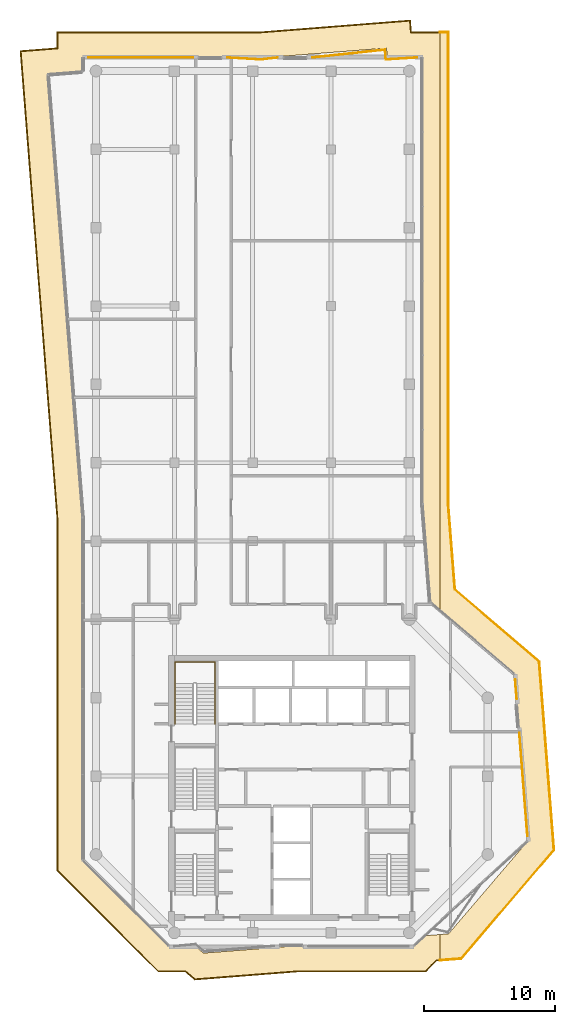
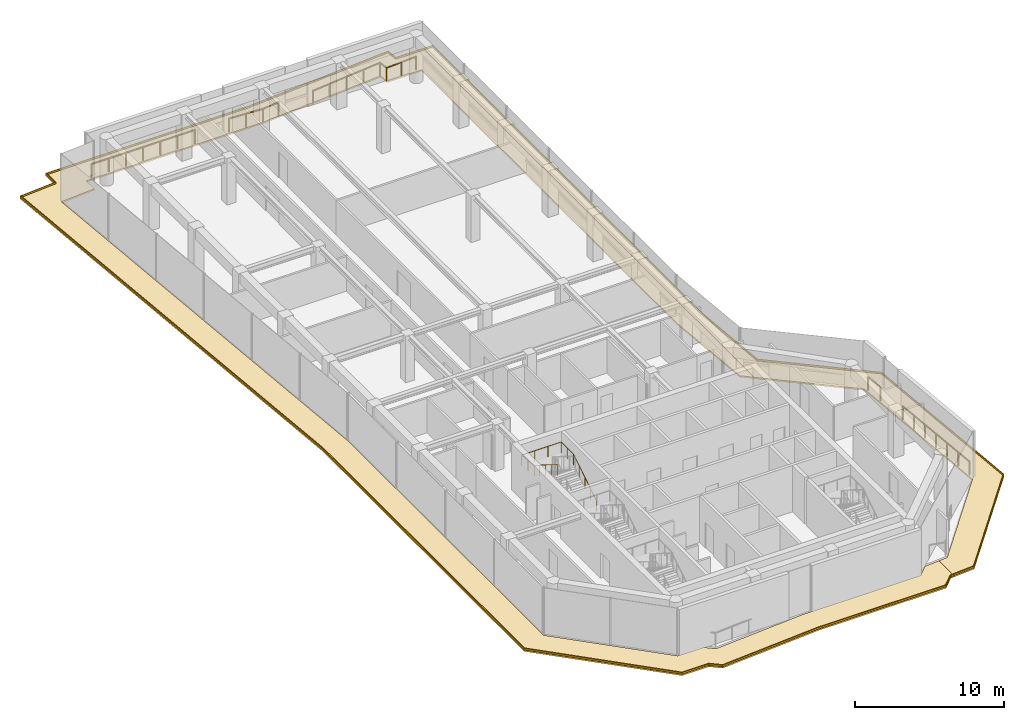
# One storey, part 23 of 23: 6 railings, 4 coverings.
"""IFC4 building model written with IfcOpenShell, lengths in metres."""

from ifc_helpers import new_model, si_unit, direction, frame, origin, origin_2d, place, context, subcontext, project, spatial, polyline, circle, outline, extrude, material, layer, layer_set, type_object, element, save


model = new_model("IFC4")

# Units and contexts
model_context = context("Model", 3, precision=1e-05, world=origin(), true_north=direction((0.0, 1.0)))
body_context = subcontext(model_context, "Body", "Model", "MODEL_VIEW")
ifc_project = project(units=[si_unit("LENGTHUNIT", "METRE"), si_unit("AREAUNIT", "SQUARE_METRE"), si_unit("VOLUMEUNIT", "CUBIC_METRE"), si_unit("PLANEANGLEUNIT", "RADIAN"), si_unit("MASSUNIT", "GRAM", prefix="KILO")], contexts=[model_context])

# Site, building, storey
site_placement = place(None, origin())
site = spatial("IfcSite", under=ifc_project, at=site_placement, CompositionType="ELEMENT")
building_placement = place(site_placement, origin())
building = spatial("IfcBuilding", under=site, at=building_placement, Name="Welwitschia Terrace Campus", CompositionType="ELEMENT")
storey_placement = place(building_placement, frame((0.0, 0.0, 209.60009765625)))
storey = spatial("IfcBuildingStorey", under=building, at=storey_placement, Name="L46", CompositionType="ELEMENT", Elevation=209.60009765625)

# Railings
ifc_material_1 = material(Name="Stainless steel grade 316", Category="steel")
railing_type_1 = type_object("IfcRailingType", Name="Guard 1100", PredefinedType="GUARDRAIL", material=ifc_material_1)
railing_1_placement = place(storey_placement, frame((-0.580078125, 71.030029296875, 0.0)))
element("IfcRailing", 1, at=railing_1_placement, inside=storey, type_object=railing_type_1, Name="Guard floor edge L46.0", PredefinedType="GUARDRAIL", context=body_context, shape_type="SweptSolid", body=[
    extrude(circle(Radius=0.02392578125, at=origin_2d()), frame((0.0, 0.0, 1.076171875), z_axis=(1.0, 0.0, 0.0), x_axis=(0.0, 1.0, 0.0)), (0.0, 0.0, 1.0), 7.998779296875),
    extrude(circle(Radius=0.02099609375, at=origin_2d()), origin(), (0.0, 0.0, 1.0), 1.052001953125),
    extrude(circle(Radius=0.02099609375, at=origin_2d()), frame((1.3330078125, 0.0, 0.0)), (0.0, 0.0, 1.0), 1.052001953125),
    extrude(circle(Radius=0.02099609375, at=origin_2d()), frame((2.666259765625, 0.0, 0.0)), (0.0, 0.0, 1.0), 1.052001953125),
    extrude(circle(Radius=0.02099609375, at=origin_2d()), frame((3.99951171875, 0.0, 0.0)), (0.0, 0.0, 1.0), 1.052001953125),
    extrude(circle(Radius=0.02099609375, at=origin_2d()), frame((5.33251953125, 0.0, 0.0)), (0.0, 0.0, 1.0), 1.052001953125),
    extrude(circle(Radius=0.02099609375, at=origin_2d()), frame((6.66552734375, 0.0, 0.0)), (0.0, 0.0, 1.0), 1.052001953125),
    extrude(circle(Radius=0.02099609375, at=origin_2d()), frame((7.998779296875, 0.0, 0.0)), (0.0, 0.0, 1.0), 1.052001953125),
])
railing_2_placement = place(storey_placement, frame((10.066162109375, 71.030029296875, 0.0)))
element("IfcRailing", 2, at=railing_2_placement, inside=storey, type_object=railing_type_1, Name="Guard floor edge L46.2", PredefinedType="GUARDRAIL", context=body_context, shape_type="SweptSolid", body=[
    extrude(circle(Radius=0.02392578125, at=origin_2d()), frame((0.0, 0.0, 1.076171875), z_axis=(0.998273384996, -0.058738818578, 0.0), x_axis=(0.058738818578, 0.998273384996, 0.0)), (0.0, 0.0, 1.0), 2.55615234375),
    extrude(circle(Radius=0.02392578125, at=origin_2d()), frame((2.5517578125, -0.150146484375, 1.076171875), z_axis=(0.993319889895, 0.115393224837, 0.0), x_axis=(-0.115393224837, 0.993319889895, 0.0)), (0.0, 0.0, 1.0), 1.30126953125),
    extrude(circle(Radius=0.02099609375, at=origin_2d()), origin(), (0.0, 0.0, 1.0), 1.052001953125),
    extrude(circle(Radius=0.02099609375, at=origin_2d()), frame((1.27587890625, -0.0751953125, 0.0)), (0.0, 0.0, 1.0), 1.052001953125),
    extrude(circle(Radius=0.02099609375, at=origin_2d()), frame((2.5517578125, -0.150146484375, 0.0)), (0.0, 0.0, 1.0), 1.052001953125),
    extrude(circle(Radius=0.02099609375, at=origin_2d()), frame((3.84423828125, 0.0, 0.0)), (0.0, 0.0, 1.0), 1.052001953125),
])
railing_3_placement = place(storey_placement, frame((16.576904296875, 71.030029296875, 0.0)))
element("IfcRailing", 3, at=railing_3_placement, inside=storey, type_object=railing_type_1, Name="Guard floor edge L46.4", PredefinedType="GUARDRAIL", context=body_context, shape_type="SweptSolid", body=[
    extrude(circle(Radius=0.02392578125, at=origin_2d()), frame((0.0, 0.0, 1.076171875), z_axis=(0.994246422852, 0.107116995133, 0.0), x_axis=(-0.107116995133, 0.994246422852, 0.0)), (0.0, 0.0, 1.0), 5.595458984375),
    extrude(circle(Radius=0.02392578125, at=origin_2d()), frame((5.563232421875, 0.599365234375, 1.076171875), z_axis=(0.078583590154, -0.996907527988, 0.0), x_axis=(0.996907527988, 0.078583590154, 0.0)), (0.0, 0.0, 1.0), 0.751953125),
    extrude(circle(Radius=0.02392578125, at=origin_2d()), frame((5.622314453125, -0.150146484375, 1.076171875), z_axis=(0.998017378586, 0.062938954864, 0.0), x_axis=(-0.062938954864, 0.998017378586, 0.0)), (0.0, 0.0, 1.0), 2.385498046875),
    extrude(circle(Radius=0.02099609375, at=origin_2d()), origin(), (0.0, 0.0, 1.0), 1.052001953125),
    extrude(circle(Radius=0.02099609375, at=origin_2d()), frame((1.390869140625, 0.14990234375, 0.0)), (0.0, 0.0, 1.0), 1.052001953125),
    extrude(circle(Radius=0.02099609375, at=origin_2d()), frame((2.78173828125, 0.2998046875, 0.0)), (0.0, 0.0, 1.0), 1.052001953125),
    extrude(circle(Radius=0.02099609375, at=origin_2d()), frame((4.17236328125, 0.449462890625, 0.0)), (0.0, 0.0, 1.0), 1.052001953125),
    extrude(circle(Radius=0.02099609375, at=origin_2d()), frame((5.563232421875, 0.599365234375, 0.0)), (0.0, 0.0, 1.0), 1.052001953125),
    extrude(circle(Radius=0.02099609375, at=origin_2d()), frame((5.622314453125, -0.150146484375, 0.0)), (0.0, 0.0, 1.0), 1.052001953125),
    extrude(circle(Radius=0.02099609375, at=origin_2d()), frame((6.812744140625, -0.0751953125, 0.0)), (0.0, 0.0, 1.0), 1.052001953125),
    extrude(circle(Radius=0.02099609375, at=origin_2d()), frame((8.003173828125, 0.0, 0.0)), (0.0, 0.0, 1.0), 1.052001953125),
])
railing_4_placement = place(storey_placement, frame((32.106201171875, 23.385498046875, 0.0)))
element("IfcRailing", 4, at=railing_4_placement, inside=storey, type_object=railing_type_1, Name="Guard floor edge L46.6", PredefinedType="GUARDRAIL", context=body_context, shape_type="SweptSolid", body=[
    extrude(circle(Radius=0.02392578125, at=origin_2d()), frame((0.0, 0.0, 1.076171875), z_axis=(0.07845417653, -0.99691772087, 0.0), x_axis=(0.99691772087, 0.07845417653, 0.0)), (0.0, 0.0, 1.0), 1.4658203125),
    extrude(circle(Radius=0.02099609375, at=origin_2d()), origin(), (0.0, 0.0, 1.0), 1.052001953125),
    extrude(circle(Radius=0.02099609375, at=origin_2d()), frame((0.114990234375, -1.461181640625, 0.0)), (0.0, 0.0, 1.0), 1.052001953125),
])
railing_5_placement = place(storey_placement, frame((32.4287109375, 19.284912109375, 0.0)))
element("IfcRailing", 5, at=railing_5_placement, inside=storey, type_object=railing_type_1, Name="Guard floor edge L46.7", PredefinedType="GUARDRAIL", context=body_context, shape_type="SweptSolid", body=[
    extrude(circle(Radius=0.02392578125, at=origin_2d()), frame((0.0, 0.0, 1.076171875), z_axis=(0.078477584204, -0.996915878486, 0.0), x_axis=(0.996915878486, 0.078477584204, 0.0)), (0.0, 0.0, 1.0), 7.892578125),
    extrude(circle(Radius=0.02099609375, at=origin_2d()), origin(), (0.0, 0.0, 1.0), 1.052001953125),
    extrude(circle(Radius=0.02099609375, at=origin_2d()), frame((0.103271484375, -1.311279296875, 0.0)), (0.0, 0.0, 1.0), 1.052001953125),
    extrude(circle(Radius=0.02099609375, at=origin_2d()), frame((0.20654296875, -2.622802734375, 0.0)), (0.0, 0.0, 1.0), 1.052001953125),
    extrude(circle(Radius=0.02099609375, at=origin_2d()), frame((0.3095703125, -3.93408203125, 0.0)), (0.0, 0.0, 1.0), 1.052001953125),
    extrude(circle(Radius=0.02099609375, at=origin_2d()), frame((0.412841796875, -5.245361328125, 0.0)), (0.0, 0.0, 1.0), 1.052001953125),
    extrude(circle(Radius=0.02099609375, at=origin_2d()), frame((0.51611328125, -6.556884765625, 0.0)), (0.0, 0.0, 1.0), 1.052001953125),
    extrude(circle(Radius=0.02099609375, at=origin_2d()), frame((0.619384765625, -7.8681640625, 0.0)), (0.0, 0.0, 1.0), 1.052001953125),
])
ifc_material_2 = material(Name="Steel S355", Category="steel")
railing_type_2 = type_object("IfcRailingType", Name="Stair handrail 900", PredefinedType="HANDRAIL", material=ifc_material_2)
railing_6_placement = place(storey_placement, frame((9.10009765625, 20.0, 0.1748046875)))
element("IfcRailing", 6, at=railing_6_placement, inside=storey, type_object=railing_type_2, Name="L46 S4 stair handrail", PredefinedType="HANDRAIL", context=body_context, shape_type="SweptSolid", body=[
    extrude(circle(Radius=0.02392578125, at=origin_2d()), frame((0.0, 0.0, 0.8759765625), z_axis=(0.0, 0.847998304005, 0.529998940003), x_axis=(-1.0, 0.0, 0.0)), (0.0, 0.0, 1.0), 3.632080078125),
    extrude(circle(Radius=0.02392578125, at=origin_2d()), frame((0.0, 3.080078125, 2.80078125), z_axis=(0.0, 1.0, 0.0), x_axis=(-1.0, 0.0, 0.0)), (0.0, 0.0, 1.0), 1.669921875),
    extrude(circle(Radius=0.02392578125, at=origin_2d()), frame((0.0, 4.75, 2.80078125), z_axis=(-1.0, 0.0, 0.0), x_axis=(0.0, -1.0, 0.0)), (0.0, 0.0, 1.0), 3.050048828125),
    extrude(circle(Radius=0.02392578125, at=origin_2d()), frame((-3.050048828125, 4.75, 2.80078125), z_axis=(0.0, -0.99455077262, 0.104253348533), x_axis=(1.0, 0.0, 0.0)), (0.0, 0.0, 1.0), 1.678955078125),
    extrude(circle(Radius=0.02392578125, at=origin_2d()), frame((-3.050048828125, 3.080078125, 2.97607421875), z_axis=(0.0, -0.847998304005, 0.529998940003), x_axis=(1.0, 0.0, 0.0)), (0.0, 0.0, 1.0), 3.632080078125),
    extrude(circle(Radius=0.02099609375, at=origin_2d()), origin(), (0.0, 0.0, 1.0), 0.851806640625),
    extrude(circle(Radius=0.02099609375, at=origin_2d()), frame((0.0, 0.77001953125, 0.481201171875)), (0.0, 0.0, 1.0), 0.851806640625),
    extrude(circle(Radius=0.02099609375, at=origin_2d()), frame((0.0, 1.5400390625, 0.96240234375)), (0.0, 0.0, 1.0), 0.851806640625),
    extrude(circle(Radius=0.02099609375, at=origin_2d()), frame((0.0, 2.31005859375, 1.44384765625)), (0.0, 0.0, 1.0), 0.851806640625),
    extrude(circle(Radius=0.02099609375, at=origin_2d()), frame((0.0, 3.080078125, 1.925048828125)), (0.0, 0.0, 1.0), 0.851806640625),
    extrude(circle(Radius=0.02099609375, at=origin_2d()), frame((0.0, 3.9150390625, 1.925048828125)), (0.0, 0.0, 1.0), 0.851806640625),
    extrude(circle(Radius=0.02099609375, at=origin_2d()), frame((0.0, 4.75, 1.925048828125)), (0.0, 0.0, 1.0), 0.851806640625),
    extrude(circle(Radius=0.02099609375, at=origin_2d()), frame((-1.0166015625, 4.75, 1.925048828125)), (0.0, 0.0, 1.0), 0.851806640625),
    extrude(circle(Radius=0.02099609375, at=origin_2d()), frame((-2.033447265625, 4.75, 1.925048828125)), (0.0, 0.0, 1.0), 0.851806640625),
    extrude(circle(Radius=0.02099609375, at=origin_2d()), frame((-3.050048828125, 4.75, 1.925048828125)), (0.0, 0.0, 1.0), 0.851806640625),
    extrude(circle(Radius=0.02099609375, at=origin_2d()), frame((-3.050048828125, 3.9150390625, 2.0126953125)), (0.0, 0.0, 1.0), 0.851806640625),
    extrude(circle(Radius=0.02099609375, at=origin_2d()), frame((-3.050048828125, 3.080078125, 2.10009765625)), (0.0, 0.0, 1.0), 0.851806640625),
    extrude(circle(Radius=0.02099609375, at=origin_2d()), frame((-3.050048828125, 2.31005859375, 2.581298828125)), (0.0, 0.0, 1.0), 0.851806640625),
    extrude(circle(Radius=0.02099609375, at=origin_2d()), frame((-3.050048828125, 1.5400390625, 3.0625)), (0.0, 0.0, 1.0), 0.851806640625),
    extrude(circle(Radius=0.02099609375, at=origin_2d()), frame((-3.050048828125, 0.77001953125, 3.5439453125)), (0.0, 0.0, 1.0), 0.851806640625),
    extrude(circle(Radius=0.02099609375, at=origin_2d()), frame((-3.050048828125, 0.0, 4.025146484375)), (0.0, 0.0, 1.0), 0.851806640625),
])

# Coverings
ifc_material_3 = material(Name="Bronze anodised aluminium", Category="aluminium")
ifc_layer_1 = layer(ifc_material_3, 0.1201171875)
ifc_layer_set_1 = layer_set([ifc_layer_1], Name="Bronze anodised aluminium")
covering_type_1 = type_object("IfcCoveringType", Name="Sunshade band 2000", PredefinedType="USERDEFINED", material=ifc_layer_set_1)
covering_1_placement = place(storey_placement, frame((0.0, 0.0, -0.25)))
element("IfcCovering", 7, at=covering_1_placement, inside=storey, type_object=covering_type_1, Name="SUNSHADE L46.SW0", ObjectType="SUNSHADE", PredefinedType="USERDEFINED", context=body_context, shape_type="SweptSolid", body=[
    extrude(outline(polyline([(-3.0, 71.77734375), (-3.0, 73.0), (12.534423828125, 73.0), (24.08740234375, 73.9091796875), (24.158935546875, 73.0), (26.33056640625, 73.0), (26.33056640625, 28.6728515625), (25.591552734375, 29.303955078125), (25.0, 36.8212890625), (25.0, 71.0), (22.31005859375, 71.0), (22.25048828125, 71.758544921875), (12.613037109375, 71.0), (-1.0, 71.0), (-1.0, 69.9287109375), (-3.66943359375, 69.718505859375), (-1.0, 35.7998046875), (-1.0, 9.585693359375), (5.585693359375, 3.0), (7.581298828125, 3.0), (8.231201171875, 2.44482421875), (15.284912109375, 3.0), (24.414306640625, 3.0), (25.194091796875, 3.77978515625), (26.33056640625, 3.869384765625), (26.33056640625, 1.863037109375), (26.086669921875, 1.843994140625), (25.24267578125, 1.0), (15.36328125, 1.0), (7.562255859375, 0.385986328125), (6.843505859375, 1.0), (4.75732421875, 1.0), (-3.0, 8.75732421875), (-3.0, 35.72119140625), (-5.8203125, 71.555419921875), (-3.0, 71.77734375)])), origin(), (0.0, 0.0, 1.0), 0.119873046875),
])
covering_2_placement = place(storey_placement, frame((0.0, 0.0, -0.25)))
element("IfcCovering", 8, at=covering_2_placement, inside=storey, type_object=covering_type_1, Name="SUNSHADE L46.SE0", ObjectType="SUNSHADE", PredefinedType="USERDEFINED", context=body_context, shape_type="SweptSolid", body=[
    extrude(outline(polyline([(27.0, 73.0), (27.0, 36.89990234375), (27.5205078125, 30.286865234375), (33.97265625, 24.77587890625), (35.109130859375, 10.33544921875), (27.984375, 1.993408203125), (26.33056640625, 1.863037109375), (26.33056640625, 3.869384765625), (27.001708984375, 3.922119140625), (33.05029296875, 11.00439453125), (32.0439453125, 23.793212890625), (26.33056640625, 28.6728515625), (26.33056640625, 73.0), (27.0, 73.0)])), origin(), (0.0, 0.0, 1.0), 0.119873046875),
])
ifc_material_4 = material(Name="Bronze anodised aluminium", Category="aluminium")
ifc_layer_2 = layer(ifc_material_4, 0.06005859375)
ifc_layer_set_2 = layer_set([ifc_layer_2], Name="Bronze anodised aluminium")
covering_type_2 = type_object("IfcCoveringType", Name="Sunshade lip 60", PredefinedType="USERDEFINED", material=ifc_layer_set_2)
covering_3_placement = place(storey_placement, frame((0.0, 0.0, -0.130126953125)))
element("IfcCovering", 9, at=covering_3_placement, inside=storey, type_object=covering_type_2, Name="SUNSHADE LIP L46.SW0.0", ObjectType="SUNSHADE", PredefinedType="USERDEFINED", context=body_context, shape_type="SweptSolid", body=[
    extrude(outline(polyline([(-3.0, 73.0), (12.534423828125, 73.0), (24.08740234375, 73.9091796875), (24.158935546875, 73.0), (26.33056640625, 73.0), (26.33056640625, 72.93994140625), (24.103515625, 72.93994140625), (24.0322265625, 73.8447265625), (12.536865234375, 72.93994140625), (-2.93994140625, 72.93994140625), (-2.93994140625, 71.721923828125), (-5.755615234375, 71.500244140625), (-2.93994140625, 35.7236328125), (-2.93994140625, 8.7822265625), (4.7822265625, 1.06005859375), (6.865478515625, 1.06005859375), (7.58251953125, 0.44775390625), (15.361083984375, 1.06005859375), (25.2177734375, 1.06005859375), (26.059814453125, 1.902099609375), (26.33056640625, 1.92333984375), (26.33056640625, 1.863037109375), (26.086669921875, 1.843994140625), (25.24267578125, 1.0), (15.36328125, 1.0), (7.562255859375, 0.385986328125), (6.843505859375, 1.0), (4.75732421875, 1.0), (-3.0, 8.75732421875), (-3.0, 35.72119140625), (-5.8203125, 71.555419921875), (-3.0, 71.77734375), (-3.0, 73.0)])), origin(), (0.0, 0.0, 1.0), 0.130126953125),
])
covering_4_placement = place(storey_placement, frame((0.0, 0.0, -0.130126953125)))
element("IfcCovering", 10, at=covering_4_placement, inside=storey, type_object=covering_type_2, Name="SUNSHADE LIP L46.SE0.0", ObjectType="SUNSHADE", PredefinedType="USERDEFINED", context=body_context, shape_type="SweptSolid", body=[
    extrude(outline(polyline([(27.0, 36.89990234375), (27.5205078125, 30.286865234375), (33.97265625, 24.77587890625), (35.109130859375, 10.33544921875), (27.984375, 1.993408203125), (26.33056640625, 1.863037109375), (26.33056640625, 1.92333984375), (27.954833984375, 2.05126953125), (35.047607421875, 10.35546875), (33.914794921875, 24.74658203125), (27.462646484375, 30.25732421875), (26.93994140625, 36.897705078125), (26.93994140625, 72.93994140625), (26.33056640625, 72.93994140625), (26.33056640625, 73.0), (27.0, 73.0), (27.0, 36.89990234375)])), origin(), (0.0, 0.0, 1.0), 0.130126953125),
])

save(model, "model.ifc")
